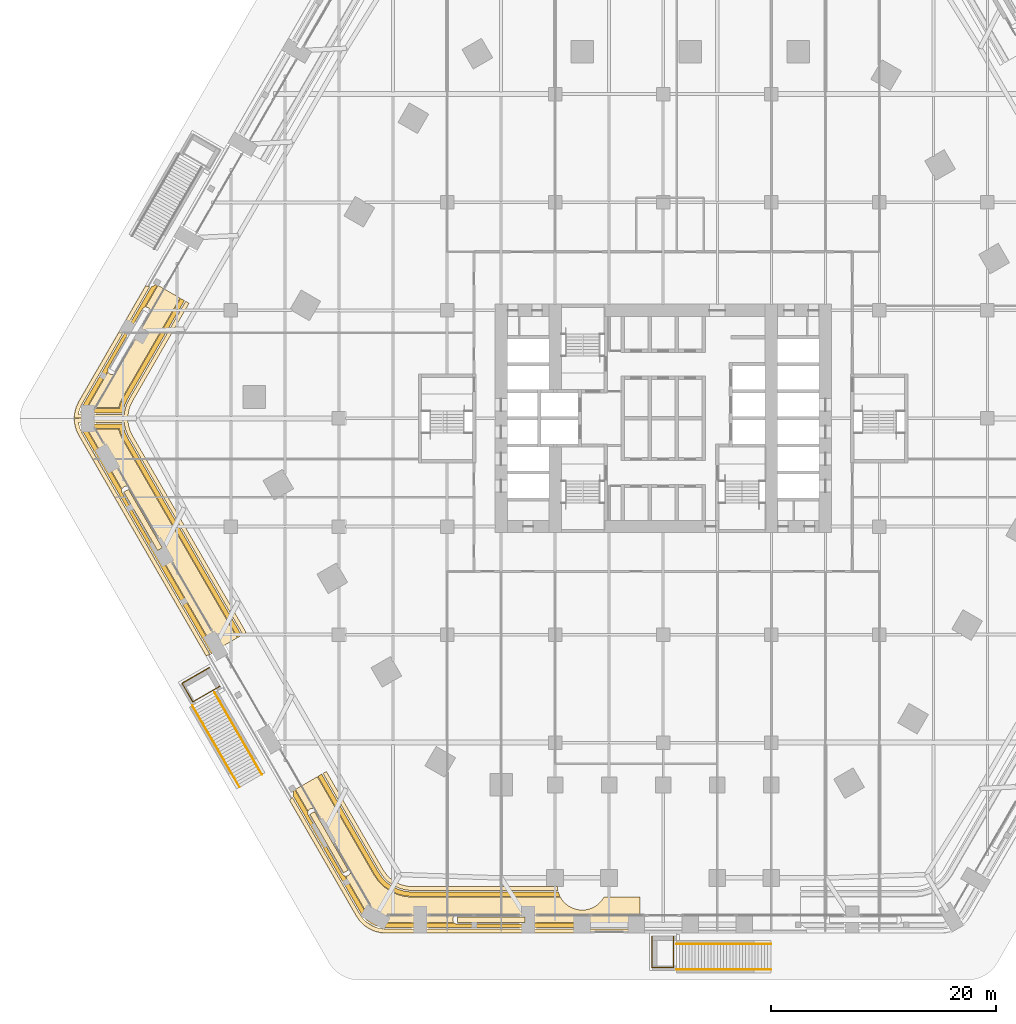
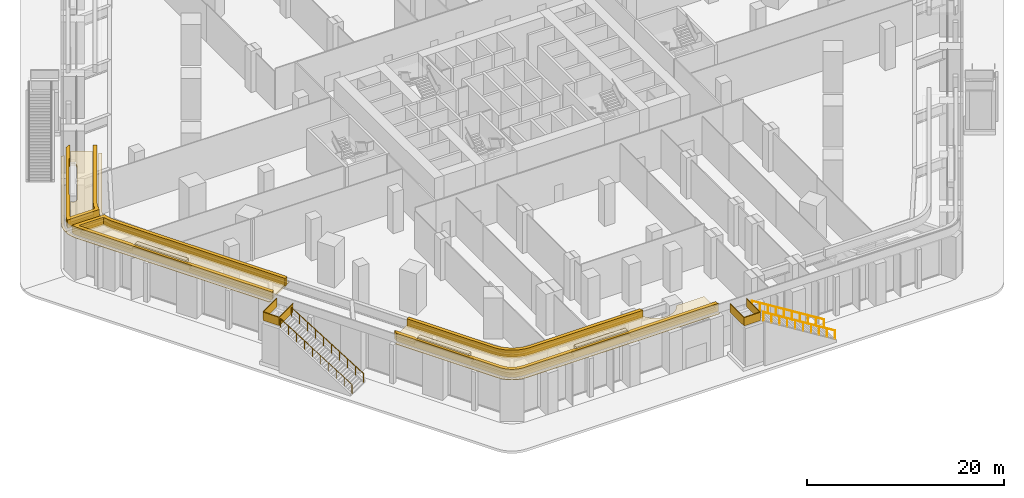
# One storey, part 29 of 34: 14 coverings, 6 railings.
"""IFC4 building model written with IfcOpenShell, lengths in metres."""

from ifc_helpers import new_model, si_unit, direction, frame, frame_2d, origin, origin_2d, place, context, subcontext, project, spatial, polyline, rectangle, circle, outline, extrude, material, layer, layer_set, type_object, element, save


model = new_model("IFC4")

# Units and contexts
model_context = context("Model", 3, precision=1e-05, world=origin(), true_north=direction((0.0, 1.0)))
body_context = subcontext(model_context, "Body", "Model", "MODEL_VIEW")
ifc_project = project(units=[si_unit("LENGTHUNIT", "METRE"), si_unit("AREAUNIT", "SQUARE_METRE"), si_unit("VOLUMEUNIT", "CUBIC_METRE"), si_unit("PLANEANGLEUNIT", "RADIAN"), si_unit("MASSUNIT", "GRAM", prefix="KILO")], contexts=[model_context])

# Site, building, storey
site_placement = place(None, origin())
site = spatial("IfcSite", under=ifc_project, at=site_placement, CompositionType="ELEMENT")
building_placement = place(site_placement, origin())
building = spatial("IfcBuilding", under=site, at=building_placement, Name="Kolab Exchange Tower", CompositionType="ELEMENT")
storey_placement = place(building_placement, frame((0.0, 0.0, 7.0)))
storey = spatial("IfcBuildingStorey", under=building, at=storey_placement, Name="L01", CompositionType="ELEMENT", Elevation=7.0)

# Railings
ifc_material_1 = material(Name="Steel S235", Category="steel")
railing_type = type_object("IfcRailingType", Name="GUARD 1100 GLASS BALUSTRADE AND STEEL TOP RAIL", PredefinedType="GUARDRAIL", material=ifc_material_1)
for number, where, name in (
    (1, (9.56005859375, -48.966064453125, 0.174072265625), "Stair guard"),
    (2, (9.56005859375, -46.68603515625, 0.174072265625), "Stair guard"),
):
    element("IfcRailing", number, at=place(storey_placement, frame(where)), inside=storey, type_object=railing_type, Name=name, PredefinedType="GUARDRAIL", context=body_context, shape_type="SweptSolid", body=[
        extrude(circle(Radius=0.02490234375, at=origin_2d()), frame((0.0, 0.0, 1.0751953125), z_axis=(-0.849098665391, 0.0, 0.528234281765), x_axis=(0.0, -1.0, 0.0)), (0.0, 0.0, 1.0), 9.89306640625),
        extrude(circle(Radius=0.02001953125, at=origin_2d()), origin(), (0.0, 0.0, 1.0), 1.050048828125),
        extrude(circle(Radius=0.02001953125, at=origin_2d()), frame((-0.933349609375, 0.0, 0.58056640625)), (0.0, 0.0, 1.0), 1.050048828125),
        extrude(circle(Radius=0.02001953125, at=origin_2d()), frame((-1.86669921875, 0.0, 1.161376953125)), (0.0, 0.0, 1.0), 1.050048828125),
        extrude(circle(Radius=0.02001953125, at=origin_2d()), frame((-2.800048828125, 0.0, 1.741943359375)), (0.0, 0.0, 1.0), 1.050048828125),
        extrude(circle(Radius=0.02001953125, at=origin_2d()), frame((-3.7333984375, 0.0, 2.322509765625)), (0.0, 0.0, 1.0), 1.050048828125),
        extrude(circle(Radius=0.02001953125, at=origin_2d()), frame((-4.666748046875, 0.0, 2.9033203125)), (0.0, 0.0, 1.0), 1.050048828125),
        extrude(circle(Radius=0.02001953125, at=origin_2d()), frame((-5.60009765625, 0.0, 3.48388671875)), (0.0, 0.0, 1.0), 1.050048828125),
        extrude(circle(Radius=0.02001953125, at=origin_2d()), frame((-6.533447265625, 0.0, 4.064453125)), (0.0, 0.0, 1.0), 1.050048828125),
        extrude(circle(Radius=0.02001953125, at=origin_2d()), frame((-7.466796875, 0.0, 4.645263671875)), (0.0, 0.0, 1.0), 1.050048828125),
        extrude(circle(Radius=0.02001953125, at=origin_2d()), frame((-8.400146484375, 0.0, 5.225830078125)), (0.0, 0.0, 1.0), 1.050048828125),
    ])
railing_1_placement = place(storey_placement, frame((0.9150390625, -45.97607421875, 5.39990234375)))
element("IfcRailing", 3, at=railing_1_placement, inside=storey, type_object=railing_type, Name="Landing guard", PredefinedType="GUARDRAIL", context=body_context, shape_type="SweptSolid", body=[
    extrude(rectangle(XDim=0.05, YDim=0.05, at=origin_2d()), frame((0.0, 0.0, 1.0751953125), z_axis=(0.0, -1.0, 0.0), x_axis=(1.0, 0.0, 0.0)), (0.0, 0.0, 1.0), 2.800048828125),
    extrude(rectangle(XDim=0.012, YDim=1.05009765625, at=frame_2d((0.0, 0.525146484375))), frame((0.0, 0.0, 0.0), z_axis=(0.0, -1.0, 0.0), x_axis=(1.0, 0.0, 0.0)), (0.0, 0.0, 1.0), 2.800048828125),
    extrude(rectangle(XDim=0.05, YDim=0.05, at=origin_2d()), frame((0.0, -2.800048828125, 1.0751953125), z_axis=(-1.0, 0.0, 0.0), x_axis=(0.0, -1.0, 0.0)), (0.0, 0.0, 1.0), 1.905029296875),
    extrude(rectangle(XDim=0.012, YDim=1.05009765625, at=frame_2d((0.0, 0.525146484375))), frame((0.0, -2.800048828125, 0.0), z_axis=(-1.0, 0.0, 0.0), x_axis=(0.0, -1.0, 0.0)), (0.0, 0.0, 1.0), 1.905029296875),
    extrude(rectangle(XDim=0.05, YDim=0.05, at=origin_2d()), frame((-1.905029296875, -2.800048828125, 1.0751953125), z_axis=(0.0, 1.0, 0.0), x_axis=(-1.0, 0.0, 0.0)), (0.0, 0.0, 1.0), 2.800048828125),
    extrude(rectangle(XDim=0.012, YDim=1.05009765625, at=frame_2d((0.0, 0.525146484375))), frame((-1.905029296875, -2.800048828125, 0.0), z_axis=(0.0, 1.0, 0.0), x_axis=(-1.0, 0.0, 0.0)), (0.0, 0.0, 1.0), 2.800048828125),
])
for number, where, name in (
    (4, (-37.6259765625, -32.76220703125, 0.174072265625), "Stair guard"),
    (5, (-35.6513671875, -31.622314453125, 0.174072265625), "Stair guard"),
):
    element("IfcRailing", number, at=place(storey_placement, frame(where)), inside=storey, type_object=railing_type, Name=name, PredefinedType="GUARDRAIL", context=body_context, shape_type="SweptSolid", body=[
        extrude(circle(Radius=0.02490234375, at=origin_2d()), frame((0.0, 0.0, 1.0751953125), z_axis=(-0.424541806705, 0.735341057629, 0.528240270449), x_axis=(-0.86602925447, -0.499993330357, 0.0)), (0.0, 0.0, 1.0), 9.892822265625),
        extrude(circle(Radius=0.02001953125, at=origin_2d()), origin(), (0.0, 0.0, 1.0), 1.050048828125),
        extrude(circle(Radius=0.02001953125, at=origin_2d()), frame((-0.466552734375, 0.808349609375, 0.58056640625)), (0.0, 0.0, 1.0), 1.050048828125),
        extrude(circle(Radius=0.02001953125, at=origin_2d()), frame((-0.933349609375, 1.61669921875, 1.161376953125)), (0.0, 0.0, 1.0), 1.050048828125),
        extrude(circle(Radius=0.02001953125, at=origin_2d()), frame((-1.39990234375, 2.4248046875, 1.741943359375)), (0.0, 0.0, 1.0), 1.050048828125),
        extrude(circle(Radius=0.02001953125, at=origin_2d()), frame((-1.86669921875, 3.233154296875, 2.322509765625)), (0.0, 0.0, 1.0), 1.050048828125),
        extrude(circle(Radius=0.02001953125, at=origin_2d()), frame((-2.333251953125, 4.04150390625, 2.9033203125)), (0.0, 0.0, 1.0), 1.050048828125),
        extrude(circle(Radius=0.02001953125, at=origin_2d()), frame((-2.800048828125, 4.849853515625, 3.48388671875)), (0.0, 0.0, 1.0), 1.050048828125),
        extrude(circle(Radius=0.02001953125, at=origin_2d()), frame((-3.2666015625, 5.657958984375, 4.064453125)), (0.0, 0.0, 1.0), 1.050048828125),
        extrude(circle(Radius=0.02001953125, at=origin_2d()), frame((-3.7333984375, 6.46630859375, 4.645263671875)), (0.0, 0.0, 1.0), 1.050048828125),
        extrude(circle(Radius=0.02001953125, at=origin_2d()), frame((-4.199951171875, 7.274658203125, 5.225830078125)), (0.0, 0.0, 1.0), 1.050048828125),
    ])
railing_2_placement = place(storey_placement, frame((-39.35888671875, -23.780517578125, 5.39990234375)))
element("IfcRailing", 6, at=railing_2_placement, inside=storey, type_object=railing_type, Name="Landing guard", PredefinedType="GUARDRAIL", context=body_context, shape_type="SweptSolid", body=[
    extrude(rectangle(XDim=0.05, YDim=0.05, at=origin_2d()), frame((0.0, 0.0, 1.0751953125), z_axis=(-0.866056369097, -0.49994636267, 0.0), x_axis=(0.49994636267, -0.866056369097, 0.0)), (0.0, 0.0, 1.0), 2.800048828125),
    extrude(rectangle(XDim=0.012, YDim=1.05009765625, at=frame_2d((0.0, 0.525146484375))), frame((0.0, 0.0, 0.0), z_axis=(-0.866056369097, -0.49994636267, 0.0), x_axis=(0.49994636267, -0.866056369097, 0.0)), (0.0, 0.0, 1.0), 2.800048828125),
    extrude(rectangle(XDim=0.05, YDim=0.05, at=origin_2d()), frame((-2.425048828125, -1.39990234375, 1.0751953125), z_axis=(-0.499985026433, 0.866034048605, 0.0), x_axis=(-0.866034048605, -0.499985026433, 0.0)), (0.0, 0.0, 1.0), 1.90478515625),
    extrude(rectangle(XDim=0.012, YDim=1.05009765625, at=frame_2d((0.0, 0.525146484375))), frame((-2.425048828125, -1.39990234375, 0.0), z_axis=(-0.499985026433, 0.866034048605, 0.0), x_axis=(-0.866034048605, -0.499985026433, 0.0)), (0.0, 0.0, 1.0), 1.90478515625),
    extrude(rectangle(XDim=0.05, YDim=0.05, at=origin_2d()), frame((-3.37744140625, 0.249755859375, 1.0751953125), z_axis=(0.865996816683, 0.500049511043, 0.0), x_axis=(-0.500049511043, 0.865996816683, 0.0)), (0.0, 0.0, 1.0), 2.800048828125),
    extrude(rectangle(XDim=0.012, YDim=1.05009765625, at=frame_2d((0.0, 0.525146484375))), frame((-3.37744140625, 0.249755859375, 0.0), z_axis=(0.865996816683, 0.500049511043, 0.0), x_axis=(-0.500049511043, 0.865996816683, 0.0)), (0.0, 0.0, 1.0), 2.800048828125),
])

# Coverings
ifc_material_2 = material(Name="Planting soil and turf", Category="soil")
ifc_layer_1 = layer(ifc_material_2, 0.25)
ifc_layer_set_1 = layer_set([ifc_layer_1], Name="Planting soil and turf")
covering_type_1 = type_object("IfcCoveringType", Name="PLANTING SOIL AND TURF 250", PredefinedType="USERDEFINED", material=ifc_layer_set_1)
covering_1_placement = place(storey_placement, frame((0.0, 0.0, 5.39990234375)))
element("IfcCovering", 7, at=covering_1_placement, inside=storey, type_object=covering_type_1, Name="Planting soil and turf", ObjectType="PLANTING", PredefinedType="USERDEFINED", context=body_context, shape_type="SweptSolid", body=[
    extrude(outline(polyline([(-51.090576171875, 1.06103515625), (-49.313720703125, 4.138427734375), (-49.300048828125, 4.106689453125), (-49.281005859375, 4.072265625), (-49.258544921875, 4.0400390625), (-49.233154296875, 4.01025390625), (-49.205078125, 3.98291015625), (-49.17431640625, 3.95849609375), (-49.14111328125, 3.937255859375), (-49.106201171875, 3.919189453125), (-49.06982421875, 3.90478515625), (-49.031982421875, 3.89404296875), (-48.993408203125, 3.886962890625), (-48.954345703125, 3.8837890625), (-48.9150390625, 3.884521484375), (-48.8759765625, 3.888916015625), (-48.837646484375, 3.897216796875), (-48.80029296875, 3.9091796875), (-48.764404296875, 3.9248046875), (-48.72998046875, 3.94384765625), (-48.69775390625, 3.96630859375), (-48.667724609375, 3.99169921875), (-48.640380859375, 4.019775390625), (-48.6162109375, 4.050537109375), (-48.5947265625, 4.08349609375), (-45.5947265625, 9.27978515625), (-45.576904296875, 9.314697265625), (-45.5625, 9.35107421875), (-45.5517578125, 9.388916015625), (-45.544677734375, 9.427490234375), (-45.54150390625, 9.466552734375), (-45.5419921875, 9.505859375), (-45.546630859375, 9.544921875), (-45.554931640625, 9.583251953125), (-45.56689453125, 9.62060546875), (-45.58251953125, 9.65673828125), (-45.6015625, 9.69091796875), (-45.623779296875, 9.72314453125), (-45.649169921875, 9.753173828125), (-45.677490234375, 9.780517578125), (-45.708251953125, 9.804931640625), (-45.7412109375, 9.826171875), (-45.776123046875, 9.843994140625), (-45.812744140625, 9.8583984375), (-45.850341796875, 9.869384765625), (-45.888916015625, 9.876220703125), (-45.92822265625, 9.879638671875), (-45.96728515625, 9.87890625), (-46.001708984375, 9.875), (-44.877197265625, 11.822509765625), (-42.922607421875, 10.694091796875), (-47.9775390625, 1.93896484375), (-48.2509765625, 1.352294921875), (-48.35888671875, 0.949951171875), (-51.142333984375, 0.949951171875), (-51.090576171875, 1.06103515625)])), origin(), (0.0, 0.0, 1.0), 0.25),
])
covering_2_placement = place(storey_placement, frame((0.0, 0.0, 5.39990234375)))
element("IfcCovering", 8, at=covering_2_placement, inside=storey, type_object=covering_type_1, Name="Planting soil and turf", ObjectType="PLANTING", PredefinedType="USERDEFINED", context=body_context, shape_type="SweptSolid", body=[
    extrude(outline(polyline([(-48.35888671875, -0.949951171875), (-48.2509765625, -1.352294921875), (-47.9775390625, -1.93896484375), (-37.8427734375, -19.492919921875), (-39.79736328125, -20.621337890625), (-44.768310546875, -12.01123046875), (-44.73388671875, -12.01513671875), (-44.69482421875, -12.015869140625), (-44.655517578125, -12.0126953125), (-44.616943359375, -12.005615234375), (-44.579345703125, -11.994873046875), (-44.542724609375, -11.98046875), (-44.5078125, -11.96240234375), (-44.474853515625, -11.941162109375), (-44.444091796875, -11.916748046875), (-44.415771484375, -11.889404296875), (-44.390380859375, -11.859619140625), (-44.3681640625, -11.8271484375), (-44.34912109375, -11.79296875), (-44.33349609375, -11.7568359375), (-44.321533203125, -11.719482421875), (-44.313232421875, -11.68115234375), (-44.30859375, -11.64208984375), (-44.30810546875, -11.60302734375), (-44.311279296875, -11.563720703125), (-44.318359375, -11.525146484375), (-44.3291015625, -11.487548828125), (-44.343505859375, -11.450927734375), (-44.361328125, -11.416015625), (-47.361328125, -6.219970703125), (-47.3828125, -6.18701171875), (-47.406982421875, -6.15625), (-47.434326171875, -6.1279296875), (-47.46435546875, -6.1025390625), (-47.49658203125, -6.080322265625), (-47.531005859375, -6.06103515625), (-47.56689453125, -6.04541015625), (-47.604248046875, -6.033447265625), (-47.642578125, -6.025146484375), (-47.681640625, -6.020751953125), (-47.720947265625, -6.02001953125), (-47.760009765625, -6.023193359375), (-47.798583984375, -6.0302734375), (-47.83642578125, -6.041015625), (-47.872802734375, -6.0556640625), (-47.90771484375, -6.073486328125), (-47.94091796875, -6.0947265625), (-47.9716796875, -6.119140625), (-47.999755859375, -6.146484375), (-48.025146484375, -6.17626953125), (-48.047607421875, -6.208740234375), (-48.066650390625, -6.242919921875), (-48.080322265625, -6.274658203125), (-51.090576171875, -1.06103515625), (-51.142333984375, -0.949951171875), (-48.35888671875, -0.949951171875)])), origin(), (0.0, 0.0, 1.0), 0.25),
])
covering_3_placement = place(storey_placement, frame((0.0, 0.0, 5.39990234375)))
element("IfcCovering", 9, at=covering_3_placement, inside=storey, type_object=covering_type_1, Name="Planting soil and turf", ObjectType="PLANTING", PredefinedType="USERDEFINED", context=body_context, shape_type="SweptSolid", body=[
    extrude(outline(polyline([(-25.66796875, -40.580078125), (-25.296630859375, -41.110595703125), (-24.809326171875, -41.597900390625), (-24.244873046875, -41.9931640625), (-23.6201171875, -42.284423828125), (-22.95458984375, -42.462890625), (-22.309326171875, -42.519287109375), (-9.132568359375, -42.519287109375), (-9.029296875, -42.69140625), (-8.900634765625, -42.864990234375), (-8.755615234375, -43.02490234375), (-8.595703125, -43.169921875), (-8.42236328125, -43.29833984375), (-8.237060546875, -43.409423828125), (-8.0419921875, -43.501708984375), (-7.838623046875, -43.574462890625), (-7.629150390625, -43.626953125), (-7.41552734375, -43.65869140625), (-7.199951171875, -43.669189453125), (-6.984375, -43.65869140625), (-6.770751953125, -43.626953125), (-6.561279296875, -43.574462890625), (-6.358154296875, -43.501708984375), (-6.162841796875, -43.409423828125), (-5.977783203125, -43.29833984375), (-5.804443359375, -43.169921875), (-5.644287109375, -43.02490234375), (-5.499267578125, -42.864990234375), (-5.370849609375, -42.69140625), (-5.267578125, -42.519287109375), (-2.0400390625, -42.519287109375), (-2.0400390625, -44.776123046875), (-11.982177734375, -44.776123046875), (-11.96142578125, -44.748291015625), (-11.94140625, -44.714599609375), (-11.924560546875, -44.67919921875), (-11.911376953125, -44.642333984375), (-11.90185546875, -44.604248046875), (-11.89599609375, -44.5654296875), (-11.89404296875, -44.526123046875), (-11.89599609375, -44.48681640625), (-11.90185546875, -44.447998046875), (-11.911376953125, -44.409912109375), (-11.924560546875, -44.373046875), (-11.94140625, -44.337646484375), (-11.96142578125, -44.303955078125), (-11.98486328125, -44.2724609375), (-12.01123046875, -44.243408203125), (-12.040283203125, -44.217041015625), (-12.072021484375, -44.193603515625), (-12.10546875, -44.17333984375), (-12.14111328125, -44.156494140625), (-12.177978515625, -44.143310546875), (-12.216064453125, -44.1337890625), (-12.2548828125, -44.128173828125), (-12.294189453125, -44.126220703125), (-18.294189453125, -44.126220703125), (-18.333251953125, -44.128173828125), (-18.3720703125, -44.1337890625), (-18.41015625, -44.143310546875), (-18.447265625, -44.156494140625), (-18.482666015625, -44.17333984375), (-18.516357421875, -44.193603515625), (-18.5478515625, -44.217041015625), (-18.576904296875, -44.243408203125), (-18.603271484375, -44.2724609375), (-18.626708984375, -44.303955078125), (-18.64697265625, -44.337646484375), (-18.66357421875, -44.373046875), (-18.677001953125, -44.409912109375), (-18.6865234375, -44.447998046875), (-18.692138671875, -44.48681640625), (-18.694091796875, -44.526123046875), (-18.692138671875, -44.5654296875), (-18.6865234375, -44.604248046875), (-18.677001953125, -44.642333984375), (-18.66357421875, -44.67919921875), (-18.64697265625, -44.714599609375), (-18.626708984375, -44.748291015625), (-18.606201171875, -44.776123046875), (-24.62646484375, -44.776123046875), (-25.023193359375, -44.741455078125), (-25.367919921875, -44.649169921875), (-25.691162109375, -44.498291015625), (-25.9833984375, -44.293701171875), (-26.235595703125, -44.04150390625), (-26.464111328125, -43.71533203125), (-28.24072265625, -40.6376953125), (-28.20654296875, -40.6416015625), (-28.167236328125, -40.642333984375), (-28.128173828125, -40.63916015625), (-28.089599609375, -40.632080078125), (-28.0517578125, -40.621337890625), (-28.01513671875, -40.60693359375), (-27.980224609375, -40.5888671875), (-27.947265625, -40.567626953125), (-27.91650390625, -40.543212890625), (-27.888427734375, -40.51611328125), (-27.863037109375, -40.486083984375), (-27.840576171875, -40.453857421875), (-27.821533203125, -40.41943359375), (-27.805908203125, -40.383544921875), (-27.7939453125, -40.34619140625), (-27.78564453125, -40.3076171875), (-27.78125, -40.268798828125), (-27.780517578125, -40.2294921875), (-27.78369140625, -40.1904296875), (-27.790771484375, -40.151611328125), (-27.801513671875, -40.114013671875), (-27.81591796875, -40.077392578125), (-27.833984375, -40.04248046875), (-30.833984375, -34.846435546875), (-30.855224609375, -34.8134765625), (-30.879638671875, -34.78271484375), (-30.906982421875, -34.75439453125), (-30.936767578125, -34.72900390625), (-30.968994140625, -34.706787109375), (-31.00341796875, -34.687744140625), (-31.039306640625, -34.672119140625), (-31.07666015625, -34.66015625), (-31.115234375, -34.65185546875), (-31.154052734375, -34.647216796875), (-31.193359375, -34.646728515625), (-31.232421875, -34.64990234375), (-31.271240234375, -34.65673828125), (-31.308837890625, -34.667724609375), (-31.345458984375, -34.68212890625), (-31.38037109375, -34.699951171875), (-31.413330078125, -34.72119140625), (-31.444091796875, -34.74560546875), (-31.47216796875, -34.77294921875), (-31.49755859375, -34.802978515625), (-31.52001953125, -34.835205078125), (-31.5390625, -34.869384765625), (-31.552734375, -34.901123046875), (-32.67724609375, -32.95361328125), (-30.72265625, -31.8251953125), (-25.66796875, -40.580078125)])), origin(), (0.0, 0.0, 1.0), 0.25),
])
covering_4_placement = place(storey_placement, frame((0.0, 0.0, 6.10009765625)))
element("IfcCovering", 10, at=covering_4_placement, inside=storey, type_object=covering_type_1, Name="Planting soil and turf", ObjectType="PLANTING", PredefinedType="USERDEFINED", context=body_context, shape_type="SweptSolid", body=[
    extrude(outline(polyline([(-18.294189453125, -44.76611328125), (-18.294189453125, -44.2861328125), (-12.294189453125, -44.2861328125), (-12.294189453125, -44.76611328125), (-18.294189453125, -44.76611328125)])), origin(), (0.0, 0.0, 1.0), 0.2998046875),
])
covering_5_placement = place(storey_placement, frame((0.0, 0.0, 6.10009765625)))
element("IfcCovering", 11, at=covering_5_placement, inside=storey, type_object=covering_type_1, Name="Planting soil and turf", ObjectType="PLANTING", PredefinedType="USERDEFINED", context=body_context, shape_type="SweptSolid", body=[
    extrude(outline(polyline([(-47.915771484375, -6.539794921875), (-47.5, -6.2998046875), (-44.5, -11.49609375), (-44.915771484375, -11.736083984375), (-47.915771484375, -6.539794921875)])), origin(), (0.0, 0.0, 1.0), 0.2998046875),
])
covering_6_placement = place(storey_placement, frame((0.0, 0.0, 6.10009765625)))
element("IfcCovering", 12, at=covering_6_placement, inside=storey, type_object=covering_type_1, Name="Planting soil and turf", ObjectType="PLANTING", PredefinedType="USERDEFINED", context=body_context, shape_type="SweptSolid", body=[
    extrude(outline(polyline([(-31.38818359375, -35.16650390625), (-30.972412109375, -34.926513671875), (-27.972412109375, -40.12255859375), (-28.38818359375, -40.362548828125), (-31.38818359375, -35.16650390625)])), origin(), (0.0, 0.0, 1.0), 0.2998046875),
])
ifc_material_3 = material(Name="Limestone coping", Category="masonry")
ifc_layer_2 = layer(ifc_material_3, 0.050048828125)
ifc_layer_set_2 = layer_set([ifc_layer_2], Name="Limestone coping")
covering_type_2 = type_object("IfcCoveringType", Name="TERRACE EDGE BAND LIMESTONE 50", PredefinedType="CLADDING", material=ifc_layer_set_2)
covering_7_placement = place(storey_placement, frame((0.0, 0.0, 5.39990234375)))
element("IfcCovering", 13, at=covering_7_placement, inside=storey, type_object=covering_type_2, Name="Terrace edge band", PredefinedType="CLADDING", context=body_context, shape_type="SweptSolid", body=[
    extrude(outline(polyline([(-52.13623046875, 1.019287109375), (-51.916259765625, 1.49072265625), (-45.962158203125, 11.803466796875), (-45.91015625, 11.776611328125), (-45.837158203125, 11.747802734375), (-45.76171875, 11.726318359375), (-45.684326171875, 11.712158203125), (-45.614013671875, 11.70654296875), (-51.60546875, 1.3291015625), (-51.805908203125, 0.89892578125), (-51.924560546875, 0.45654296875), (-51.93212890625, 0.3701171875), (-47.875, 0.3701171875), (-47.856201171875, 0.58544921875), (-47.7041015625, 1.153076171875), (-47.46240234375, 1.6708984375), (-42.42041015625, 10.404052734375), (-42.117431640625, 10.22900390625), (-47.151611328125, 1.50927734375), (-47.373779296875, 1.032958984375), (-47.510009765625, 0.5244140625), (-47.55419921875, 0.02001953125), (-52.31396484375, 0.02001953125), (-52.2705078125, 0.517578125), (-52.13623046875, 1.019287109375)])), origin(), (0.0, 0.0, 1.0), 0.050048828125),
])
covering_8_placement = place(storey_placement, frame((0.0, 0.0, 5.39990234375)))
element("IfcCovering", 14, at=covering_8_placement, inside=storey, type_object=covering_type_2, Name="Terrace edge band", PredefinedType="CLADDING", context=body_context, shape_type="SweptSolid", body=[
    extrude(outline(polyline([(-51.916259765625, -1.49072265625), (-52.13623046875, -1.019287109375), (-52.2705078125, -0.517578125), (-52.31396484375, -0.02001953125), (-47.55419921875, -0.02001953125), (-47.510009765625, -0.5244140625), (-47.373779296875, -1.032958984375), (-47.151611328125, -1.50927734375), (-37.037353515625, -19.02783203125), (-37.34033203125, -19.202880859375), (-47.46240234375, -1.6708984375), (-47.7041015625, -1.153076171875), (-47.856201171875, -0.58544921875), (-47.875, -0.3701171875), (-51.93212890625, -0.3701171875), (-51.924560546875, -0.45654296875), (-51.805908203125, -0.89892578125), (-51.60546875, -1.3291015625), (-40.25390625, -20.990234375), (-40.324462890625, -20.99609375), (-40.401611328125, -21.010009765625), (-40.47705078125, -21.03173828125), (-40.550048828125, -21.060546875), (-40.602294921875, -21.087158203125), (-51.916259765625, -1.49072265625)])), origin(), (0.0, 0.0, 1.0), 0.050048828125),
])
covering_9_placement = place(storey_placement, frame((0.0, 0.0, 5.39990234375)))
element("IfcCovering", 15, at=covering_9_placement, inside=storey, type_object=covering_type_2, Name="Terrace edge band", PredefinedType="CLADDING", context=body_context, shape_type="SweptSolid", body=[
    extrude(outline(polyline([(-24.8828125, -40.080078125), (-24.58154296875, -40.510498046875), (-24.209228515625, -40.8828125), (-23.778076171875, -41.1845703125), (-23.30078125, -41.4072265625), (-22.79248046875, -41.54345703125), (-22.268798828125, -41.589111328125), (-9.39404296875, -41.589111328125), (-9.389404296875, -41.684814453125), (-9.357666015625, -41.8984375), (-9.347412109375, -41.939208984375), (-22.2841796875, -41.939208984375), (-22.853271484375, -41.889404296875), (-23.421142578125, -41.7373046875), (-23.95361328125, -41.489013671875), (-24.43505859375, -41.15185546875), (-24.8505859375, -40.736328125), (-25.178466796875, -40.268310546875), (-30.220458984375, -31.53515625), (-29.917236328125, -31.360107421875), (-24.8828125, -40.080078125)])), origin(), (0.0, 0.0, 1.0), 0.050048828125),
])
covering_10_placement = place(storey_placement, frame((0.0, 0.0, 5.39990234375)))
element("IfcCovering", 16, at=covering_10_placement, inside=storey, type_object=covering_type_2, Name="Terrace edge band", PredefinedType="CLADDING", context=body_context, shape_type="SweptSolid", body=[
    extrude(outline(polyline([(-24.6669921875, -45.7060546875), (-25.185302734375, -45.660888671875), (-25.687255859375, -45.5263671875), (-26.157958984375, -45.306884765625), (-26.58349609375, -45.0087890625), (-26.95068359375, -44.6416015625), (-27.2490234375, -44.21533203125), (-33.203125, -33.902587890625), (-33.154052734375, -33.87109375), (-33.092529296875, -33.822265625), (-33.0361328125, -33.767578125), (-32.9853515625, -33.707763671875), (-32.945068359375, -33.649658203125), (-26.95361328125, -44.027099609375), (-26.681640625, -44.415771484375), (-26.357666015625, -44.73974609375), (-25.982177734375, -45.002685546875), (-25.56689453125, -45.1962890625), (-25.12451171875, -45.314697265625), (-24.65185546875, -45.356201171875), (-1.948974609375, -45.356201171875), (-1.97900390625, -45.419921875), (-2.005615234375, -45.493896484375), (-2.024658203125, -45.570068359375), (-2.0361328125, -45.647705078125), (-2.0390625, -45.7060546875), (-24.6669921875, -45.7060546875)])), origin(), (0.0, 0.0, 1.0), 0.050048828125),
])
ifc_material_4 = material(Name="Terrace hedge planting", Category="soil")
ifc_layer_3 = layer(ifc_material_4, 1.0)
ifc_layer_set_3 = layer_set([ifc_layer_3], Name="Terrace hedge planting")
covering_type_3 = type_object("IfcCoveringType", Name="TERRACE HEDGE 1000 X 400", PredefinedType="USERDEFINED", material=ifc_layer_set_3)
covering_11_placement = place(storey_placement, frame((0.0, 0.0, 5.39990234375)))
element("IfcCovering", 17, at=covering_11_placement, inside=storey, type_object=covering_type_3, Name="Terrace hedge", ObjectType="PLANTING", PredefinedType="USERDEFINED", context=body_context, shape_type="SweptSolid", body=[
    extrude(outline(polyline([(-51.489990234375, 1.268798828125), (-45.458984375, 11.715087890625), (-45.44970703125, 11.716064453125), (-45.373046875, 11.732666015625), (-45.298095703125, 11.756591796875), (-45.22607421875, 11.787841796875), (-45.157470703125, 11.825927734375), (-45.093017578125, 11.87060546875), (-45.03466796875, 11.920166015625), (-45.02392578125, 11.91162109375), (-44.957763671875, 11.869140625), (-44.920654296875, 11.84765625), (-46.069091796875, 9.8583984375), (-46.08203125, 9.85400390625), (-46.1181640625, 9.83837890625), (-46.15234375, 9.8193359375), (-46.184814453125, 9.797119140625), (-46.214599609375, 9.771728515625), (-46.241943359375, 9.743408203125), (-46.266357421875, 9.712646484375), (-46.28759765625, 9.6796875), (-49.28759765625, 4.483642578125), (-49.3056640625, 4.44873046875), (-49.320068359375, 4.412109375), (-49.330810546875, 4.37451171875), (-49.337890625, 4.335693359375), (-49.341064453125, 4.296630859375), (-49.34033203125, 4.25732421875), (-49.3359375, 4.218505859375), (-49.3330078125, 4.205078125), (-51.135009765625, 1.083984375), (-51.220703125, 0.89990234375), (-48.320556640625, 0.89990234375), (-48.203857421875, 1.3349609375), (-47.93310546875, 1.916015625), (-42.87939453125, 10.669189453125), (-42.532958984375, 10.468994140625), (-47.577880859375, 1.731201171875), (-47.82666015625, 1.19775390625), (-47.984619140625, 0.608154296875), (-47.994140625, 0.5), (-51.7783203125, 0.5), (-51.683349609375, 0.8544921875), (-51.489990234375, 1.268798828125)])), origin(), (0.0, 0.0, 1.0), 1.0),
])
covering_12_placement = place(storey_placement, frame((0.0, 0.0, 5.39990234375)))
element("IfcCovering", 18, at=covering_12_placement, inside=storey, type_object=covering_type_3, Name="Terrace hedge", ObjectType="PLANTING", PredefinedType="USERDEFINED", context=body_context, shape_type="SweptSolid", body=[
    extrude(outline(polyline([(-47.984619140625, -0.608154296875), (-47.82666015625, -1.19775390625), (-47.577880859375, -1.731201171875), (-37.453125, -19.267822265625), (-37.79931640625, -19.468017578125), (-47.93310546875, -1.916015625), (-48.203857421875, -1.3349609375), (-48.320556640625, -0.89990234375), (-51.220703125, -0.89990234375), (-51.135009765625, -1.083984375), (-48.099609375, -6.34130859375), (-48.1025390625, -6.354736328125), (-48.10693359375, -6.393798828125), (-48.107666015625, -6.432861328125), (-48.1044921875, -6.47216796875), (-48.097412109375, -6.5107421875), (-48.086669921875, -6.548583984375), (-48.072265625, -6.5849609375), (-48.05419921875, -6.619873046875), (-45.05419921875, -11.816162109375), (-45.032958984375, -11.84912109375), (-45.008544921875, -11.8798828125), (-44.981201171875, -11.907958984375), (-44.951416015625, -11.933349609375), (-44.9189453125, -11.955810546875), (-44.884765625, -11.974853515625), (-44.8486328125, -11.990478515625), (-44.835693359375, -11.99462890625), (-39.840576171875, -20.646484375), (-39.8779296875, -20.66796875), (-39.94384765625, -20.71044921875), (-40.00537109375, -20.75927734375), (-40.061767578125, -20.81396484375), (-40.112548828125, -20.873779296875), (-40.14453125, -20.919921875), (-51.489990234375, -1.268798828125), (-51.683349609375, -0.8544921875), (-51.7783203125, -0.5), (-47.994140625, -0.5), (-47.984619140625, -0.608154296875)])), origin(), (0.0, 0.0, 1.0), 1.0),
])
covering_13_placement = place(storey_placement, frame((0.0, 0.0, 5.39990234375)))
element("IfcCovering", 19, at=covering_13_placement, inside=storey, type_object=covering_type_3, Name="Terrace hedge", ObjectType="PLANTING", PredefinedType="USERDEFINED", context=body_context, shape_type="SweptSolid", body=[
    extrude(outline(polyline([(-25.2880859375, -40.338134765625), (-24.95068359375, -40.8203125), (-24.51904296875, -41.251953125), (-24.018798828125, -41.60205078125), (-23.465576171875, -41.85986328125), (-22.8759765625, -42.017822265625), (-22.289794921875, -42.0693359375), (-9.31494140625, -42.0693359375), (-9.30517578125, -42.10791015625), (-9.232421875, -42.31103515625), (-9.15771484375, -42.46923828125), (-22.30712890625, -42.46923828125), (-22.94580078125, -42.413330078125), (-23.60302734375, -42.2373046875), (-24.2197265625, -41.94970703125), (-24.777099609375, -41.559326171875), (-25.258056640625, -41.078369140625), (-25.625732421875, -40.55322265625), (-30.679443359375, -31.800048828125), (-30.3330078125, -31.60009765625), (-25.2880859375, -40.338134765625)])), origin(), (0.0, 0.0, 1.0), 1.0),
])
covering_14_placement = place(storey_placement, frame((0.0, 0.0, 5.39990234375)))
element("IfcCovering", 20, at=covering_14_placement, inside=storey, type_object=covering_type_3, Name="Terrace hedge", ObjectType="PLANTING", PredefinedType="USERDEFINED", context=body_context, shape_type="SweptSolid", body=[
    extrude(outline(polyline([(-24.646240234375, -45.22607421875), (-25.101806640625, -45.186279296875), (-25.5224609375, -45.073486328125), (-25.9169921875, -44.8896484375), (-26.273681640625, -44.639892578125), (-26.58154296875, -44.331787109375), (-26.843994140625, -43.957275390625), (-32.875, -33.51123046875), (-32.871337890625, -33.50244140625), (-32.84716796875, -33.427734375), (-32.83056640625, -33.35107421875), (-32.82177734375, -33.27294921875), (-32.8203125, -33.194580078125), (-32.826904296875, -33.1162109375), (-32.840576171875, -33.041015625), (-32.82763671875, -33.035888671875), (-32.7578125, -33.0), (-32.720458984375, -32.978515625), (-31.572021484375, -34.9677734375), (-31.574951171875, -34.981201171875), (-31.579345703125, -35.020263671875), (-31.580078125, -35.0595703125), (-31.576904296875, -35.0986328125), (-31.56982421875, -35.13720703125), (-31.55908203125, -35.175048828125), (-31.544677734375, -35.21142578125), (-31.526611328125, -35.246337890625), (-28.526611328125, -40.442626953125), (-28.50537109375, -40.4755859375), (-28.48095703125, -40.50634765625), (-28.453857421875, -40.534423828125), (-28.423828125, -40.559814453125), (-28.3916015625, -40.582275390625), (-28.357177734375, -40.601318359375), (-28.3212890625, -40.616943359375), (-28.30810546875, -40.62109375), (-26.50634765625, -43.7421875), (-26.27392578125, -44.07373046875), (-26.015625, -44.332275390625), (-25.71630859375, -44.541748046875), (-25.385009765625, -44.6962890625), (-25.031982421875, -44.790771484375), (-24.628662109375, -44.826171875), (-18.55810546875, -44.826171875), (-18.5478515625, -44.83544921875), (-18.516357421875, -44.858642578125), (-18.482666015625, -44.87890625), (-18.447265625, -44.895751953125), (-18.41015625, -44.908935546875), (-18.3720703125, -44.91845703125), (-18.333251953125, -44.92431640625), (-18.294189453125, -44.926025390625), (-12.294189453125, -44.926025390625), (-12.2548828125, -44.92431640625), (-12.216064453125, -44.91845703125), (-12.177978515625, -44.908935546875), (-12.14111328125, -44.895751953125), (-12.10546875, -44.87890625), (-12.072021484375, -44.858642578125), (-12.040283203125, -44.83544921875), (-12.0302734375, -44.826171875), (-2.0400390625, -44.826171875), (-2.0400390625, -44.869140625), (-2.0361328125, -44.94775390625), (-2.024658203125, -45.025390625), (-2.005615234375, -45.1015625), (-1.97900390625, -45.17529296875), (-1.955078125, -45.22607421875), (-24.646240234375, -45.22607421875)])), origin(), (0.0, 0.0, 1.0), 1.0),
])

save(model, "model.ifc")
